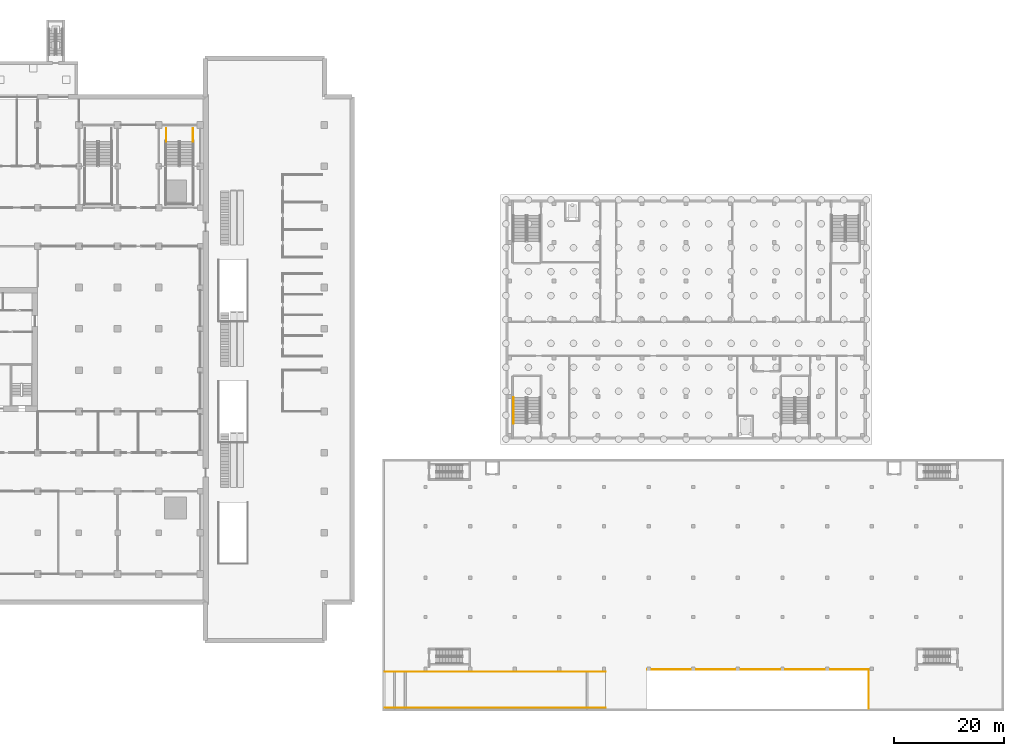
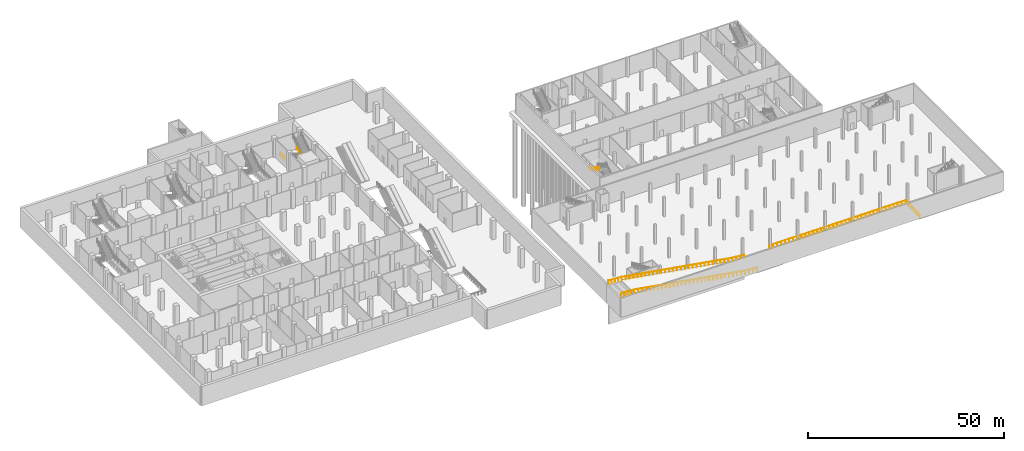
# One storey, part 38 of 45: 6 railings.
"""IFC4 building model written with IfcOpenShell, lengths in metres."""

from ifc_helpers import new_model, si_unit, direction, frame, origin, origin_2d, place, context, subcontext, project, spatial, circle, extrude, material, type_object, element, save


model = new_model("IFC4")

# Units and contexts
model_context = context("Model", 3, precision=1e-05, world=origin(), true_north=direction((0.0, 1.0)))
body_context = subcontext(model_context, "Body", "Model", "MODEL_VIEW")
ifc_project = project(units=[si_unit("LENGTHUNIT", "METRE"), si_unit("AREAUNIT", "SQUARE_METRE"), si_unit("VOLUMEUNIT", "CUBIC_METRE"), si_unit("PLANEANGLEUNIT", "RADIAN"), si_unit("MASSUNIT", "GRAM", prefix="KILO")], contexts=[model_context])

# Site, building, storey
site_placement = place(None, origin())
site = spatial("IfcSite", under=ifc_project, at=site_placement, CompositionType="ELEMENT")
building_placement = place(site_placement, origin())
building = spatial("IfcBuilding", under=site, at=building_placement, Name="Tamorin Gate", CompositionType="ELEMENT")
storey_placement = place(building_placement, frame((0.0, 0.0, -6.0)))
storey = spatial("IfcBuildingStorey", under=building, at=storey_placement, Name="B1", CompositionType="ELEMENT", Elevation=-6.0)

# Railings
ifc_material_1 = material(Name="Steel", Category="steel")
railing_type_1 = type_object("IfcRailingType", Name="Podium guard 1100", PredefinedType="GUARDRAIL", material=ifc_material_1)
for number, where, name in (
    (1, (83.324951171875, 111.39990234375, 0.0), "B1 SB5 stair guard 8"),
    (2, (88.175048828125, 111.39990234375, 0.0), "B1 SB5 stair guard 9"),
):
    element("IfcRailing", number, at=place(storey_placement, frame(where)), inside=storey, type_object=railing_type_1, Name=name, PredefinedType="GUARDRAIL", context=body_context, shape_type="SweptSolid", body=[
        extrude(circle(Radius=0.02392578125, at=origin_2d()), frame((0.0, 0.0, 1.076171875), z_axis=(0.0, -1.0, 0.0), x_axis=(1.0, 0.0, 0.0)), (0.0, 0.0, 1.0), 2.39990234375),
        extrude(circle(Radius=0.02099609375, at=origin_2d()), origin(), (0.0, 0.0, 1.0), 1.052001953125),
        extrude(circle(Radius=0.02099609375, at=origin_2d()), frame((0.0, -1.199951171875, 0.0)), (0.0, 0.0, 1.0), 1.052001953125),
        extrude(circle(Radius=0.02099609375, at=origin_2d()), frame((0.0, -2.39990234375, 0.0)), (0.0, 0.0, 1.0), 1.052001953125),
    ])
ifc_material_2 = material(Name="Steel, galvanised", Category="steel")
railing_type_2 = type_object("IfcRailingType", Name="Steel guard 1100", PredefinedType="GUARDRAIL", material=ifc_material_2)
railing_1_placement = place(storey_placement, frame((123.050048828125, 12.75, 6.0)))
element("IfcRailing", 3, at=railing_1_placement, inside=storey, type_object=railing_type_2, Name="Ramp edge guard", PredefinedType="GUARDRAIL", context=body_context, shape_type="SweptSolid", body=[
    extrude(circle(Radius=0.02392578125, at=origin_2d()), frame((0.0, 0.0, 1.076171875), z_axis=(0.99793051147, 0.0, -0.064301588456), x_axis=(0.0, 1.0, 0.0)), (0.0, 0.0, 1.0), 3.887939453125),
    extrude(circle(Radius=0.02392578125, at=origin_2d()), frame((3.8798828125, 0.0, 0.826171875), z_axis=(0.986081799154, 0.0, -0.166260895513), x_axis=(0.0, 1.0, 0.0)), (0.0, 0.0, 1.0), 33.08056640625),
    extrude(circle(Radius=0.02392578125, at=origin_2d()), frame((36.5, 0.0, -4.673828125), z_axis=(0.997458699831, 0.0, -0.071247049988), x_axis=(0.0, 1.0, 0.0)), (0.0, 0.0, 1.0), 3.509033203125),
    extrude(circle(Radius=0.02099609375, at=origin_2d()), origin(), (0.0, 0.0, 1.0), 1.052001953125),
    extrude(circle(Radius=0.02099609375, at=origin_2d()), frame((0.969970703125, 0.0, -0.0625)), (0.0, 0.0, 1.0), 1.052001953125),
    extrude(circle(Radius=0.02099609375, at=origin_2d()), frame((1.93994140625, 0.0, -0.125)), (0.0, 0.0, 1.0), 1.052001953125),
    extrude(circle(Radius=0.02099609375, at=origin_2d()), frame((2.909912109375, 0.0, -0.1875)), (0.0, 0.0, 1.0), 1.052001953125),
    extrude(circle(Radius=0.02099609375, at=origin_2d()), frame((3.8798828125, 0.0, -0.25)), (0.0, 0.0, 1.0), 1.052001953125),
    extrude(circle(Radius=0.02099609375, at=origin_2d()), frame((5.044921875, 0.0, -0.446533203125)), (0.0, 0.0, 1.0), 1.052001953125),
    extrude(circle(Radius=0.02099609375, at=origin_2d()), frame((6.2099609375, 0.0, -0.642822265625)), (0.0, 0.0, 1.0), 1.052001953125),
    extrude(circle(Radius=0.02099609375, at=origin_2d()), frame((7.375, 0.0, -0.83935546875)), (0.0, 0.0, 1.0), 1.052001953125),
    extrude(circle(Radius=0.02099609375, at=origin_2d()), frame((8.539794921875, 0.0, -1.03564453125)), (0.0, 0.0, 1.0), 1.052001953125),
    extrude(circle(Radius=0.02099609375, at=origin_2d()), frame((9.704833984375, 0.0, -1.232177734375)), (0.0, 0.0, 1.0), 1.052001953125),
    extrude(circle(Radius=0.02099609375, at=origin_2d()), frame((10.869873046875, 0.0, -1.428466796875)), (0.0, 0.0, 1.0), 1.052001953125),
    extrude(circle(Radius=0.02099609375, at=origin_2d()), frame((12.034912109375, 0.0, -1.625)), (0.0, 0.0, 1.0), 1.052001953125),
    extrude(circle(Radius=0.02099609375, at=origin_2d()), frame((13.199951171875, 0.0, -1.821533203125)), (0.0, 0.0, 1.0), 1.052001953125),
    extrude(circle(Radius=0.02099609375, at=origin_2d()), frame((14.364990234375, 0.0, -2.017822265625)), (0.0, 0.0, 1.0), 1.052001953125),
    extrude(circle(Radius=0.02099609375, at=origin_2d()), frame((15.530029296875, 0.0, -2.21435546875)), (0.0, 0.0, 1.0), 1.052001953125),
    extrude(circle(Radius=0.02099609375, at=origin_2d()), frame((16.69482421875, 0.0, -2.41064453125)), (0.0, 0.0, 1.0), 1.052001953125),
    extrude(circle(Radius=0.02099609375, at=origin_2d()), frame((17.85986328125, 0.0, -2.607177734375)), (0.0, 0.0, 1.0), 1.052001953125),
    extrude(circle(Radius=0.02099609375, at=origin_2d()), frame((19.02490234375, 0.0, -2.803466796875)), (0.0, 0.0, 1.0), 1.052001953125),
    extrude(circle(Radius=0.02099609375, at=origin_2d()), frame((20.18994140625, 0.0, -3.0)), (0.0, 0.0, 1.0), 1.052001953125),
    extrude(circle(Radius=0.02099609375, at=origin_2d()), frame((21.35498046875, 0.0, -3.196533203125)), (0.0, 0.0, 1.0), 1.052001953125),
    extrude(circle(Radius=0.02099609375, at=origin_2d()), frame((22.52001953125, 0.0, -3.392822265625)), (0.0, 0.0, 1.0), 1.052001953125),
    extrude(circle(Radius=0.02099609375, at=origin_2d()), frame((23.68505859375, 0.0, -3.58935546875)), (0.0, 0.0, 1.0), 1.052001953125),
    extrude(circle(Radius=0.02099609375, at=origin_2d()), frame((24.849853515625, 0.0, -3.78564453125)), (0.0, 0.0, 1.0), 1.052001953125),
    extrude(circle(Radius=0.02099609375, at=origin_2d()), frame((26.014892578125, 0.0, -3.982177734375)), (0.0, 0.0, 1.0), 1.052001953125),
    extrude(circle(Radius=0.02099609375, at=origin_2d()), frame((27.179931640625, 0.0, -4.178466796875)), (0.0, 0.0, 1.0), 1.052001953125),
    extrude(circle(Radius=0.02099609375, at=origin_2d()), frame((28.344970703125, 0.0, -4.375)), (0.0, 0.0, 1.0), 1.052001953125),
    extrude(circle(Radius=0.02099609375, at=origin_2d()), frame((29.510009765625, 0.0, -4.571533203125)), (0.0, 0.0, 1.0), 1.052001953125),
    extrude(circle(Radius=0.02099609375, at=origin_2d()), frame((30.675048828125, 0.0, -4.767822265625)), (0.0, 0.0, 1.0), 1.052001953125),
    extrude(circle(Radius=0.02099609375, at=origin_2d()), frame((31.840087890625, 0.0, -4.96435546875)), (0.0, 0.0, 1.0), 1.052001953125),
    extrude(circle(Radius=0.02099609375, at=origin_2d()), frame((33.0048828125, 0.0, -5.16064453125)), (0.0, 0.0, 1.0), 1.052001953125),
    extrude(circle(Radius=0.02099609375, at=origin_2d()), frame((34.169921875, 0.0, -5.357177734375)), (0.0, 0.0, 1.0), 1.052001953125),
    extrude(circle(Radius=0.02099609375, at=origin_2d()), frame((35.3349609375, 0.0, -5.553466796875)), (0.0, 0.0, 1.0), 1.052001953125),
    extrude(circle(Radius=0.02099609375, at=origin_2d()), frame((36.5, 0.0, -5.75)), (0.0, 0.0, 1.0), 1.052001953125),
    extrude(circle(Radius=0.02099609375, at=origin_2d()), frame((37.666748046875, 0.0, -5.833251953125)), (0.0, 0.0, 1.0), 1.052001953125),
    extrude(circle(Radius=0.02099609375, at=origin_2d()), frame((38.833251953125, 0.0, -5.916748046875)), (0.0, 0.0, 1.0), 1.052001953125),
    extrude(circle(Radius=0.02099609375, at=origin_2d()), frame((40.0, 0.0, -6.0)), (0.0, 0.0, 1.0), 1.052001953125),
])
railing_2_placement = place(storey_placement, frame((123.050048828125, 6.25, 6.0)))
element("IfcRailing", 4, at=railing_2_placement, inside=storey, type_object=railing_type_2, Name="Ramp edge guard", PredefinedType="GUARDRAIL", context=body_context, shape_type="SweptSolid", body=[
    extrude(circle(Radius=0.02392578125, at=origin_2d()), frame((0.0, 0.0, 1.076171875), z_axis=(0.99793051147, 0.0, -0.064301588456), x_axis=(0.0, 1.0, 0.0)), (0.0, 0.0, 1.0), 3.887939453125),
    extrude(circle(Radius=0.02392578125, at=origin_2d()), frame((3.8798828125, 0.0, 0.826171875), z_axis=(0.986081799154, 0.0, -0.166260895513), x_axis=(0.0, 1.0, 0.0)), (0.0, 0.0, 1.0), 33.08056640625),
    extrude(circle(Radius=0.02392578125, at=origin_2d()), frame((36.5, 0.0, -4.673828125), z_axis=(0.997458699831, 0.0, -0.071247049988), x_axis=(0.0, 1.0, 0.0)), (0.0, 0.0, 1.0), 3.509033203125),
    extrude(circle(Radius=0.02099609375, at=origin_2d()), origin(), (0.0, 0.0, 1.0), 1.052001953125),
    extrude(circle(Radius=0.02099609375, at=origin_2d()), frame((0.969970703125, 0.0, -0.0625)), (0.0, 0.0, 1.0), 1.052001953125),
    extrude(circle(Radius=0.02099609375, at=origin_2d()), frame((1.93994140625, 0.0, -0.125)), (0.0, 0.0, 1.0), 1.052001953125),
    extrude(circle(Radius=0.02099609375, at=origin_2d()), frame((2.909912109375, 0.0, -0.1875)), (0.0, 0.0, 1.0), 1.052001953125),
    extrude(circle(Radius=0.02099609375, at=origin_2d()), frame((3.8798828125, 0.0, -0.25)), (0.0, 0.0, 1.0), 1.052001953125),
    extrude(circle(Radius=0.02099609375, at=origin_2d()), frame((5.044921875, 0.0, -0.446533203125)), (0.0, 0.0, 1.0), 1.052001953125),
    extrude(circle(Radius=0.02099609375, at=origin_2d()), frame((6.2099609375, 0.0, -0.642822265625)), (0.0, 0.0, 1.0), 1.052001953125),
    extrude(circle(Radius=0.02099609375, at=origin_2d()), frame((7.375, 0.0, -0.83935546875)), (0.0, 0.0, 1.0), 1.052001953125),
    extrude(circle(Radius=0.02099609375, at=origin_2d()), frame((8.539794921875, 0.0, -1.03564453125)), (0.0, 0.0, 1.0), 1.052001953125),
    extrude(circle(Radius=0.02099609375, at=origin_2d()), frame((9.704833984375, 0.0, -1.232177734375)), (0.0, 0.0, 1.0), 1.052001953125),
    extrude(circle(Radius=0.02099609375, at=origin_2d()), frame((10.869873046875, 0.0, -1.428466796875)), (0.0, 0.0, 1.0), 1.052001953125),
    extrude(circle(Radius=0.02099609375, at=origin_2d()), frame((12.034912109375, 0.0, -1.625)), (0.0, 0.0, 1.0), 1.052001953125),
    extrude(circle(Radius=0.02099609375, at=origin_2d()), frame((13.199951171875, 0.0, -1.821533203125)), (0.0, 0.0, 1.0), 1.052001953125),
    extrude(circle(Radius=0.02099609375, at=origin_2d()), frame((14.364990234375, 0.0, -2.017822265625)), (0.0, 0.0, 1.0), 1.052001953125),
    extrude(circle(Radius=0.02099609375, at=origin_2d()), frame((15.530029296875, 0.0, -2.21435546875)), (0.0, 0.0, 1.0), 1.052001953125),
    extrude(circle(Radius=0.02099609375, at=origin_2d()), frame((16.69482421875, 0.0, -2.41064453125)), (0.0, 0.0, 1.0), 1.052001953125),
    extrude(circle(Radius=0.02099609375, at=origin_2d()), frame((17.85986328125, 0.0, -2.607177734375)), (0.0, 0.0, 1.0), 1.052001953125),
    extrude(circle(Radius=0.02099609375, at=origin_2d()), frame((19.02490234375, 0.0, -2.803466796875)), (0.0, 0.0, 1.0), 1.052001953125),
    extrude(circle(Radius=0.02099609375, at=origin_2d()), frame((20.18994140625, 0.0, -3.0)), (0.0, 0.0, 1.0), 1.052001953125),
    extrude(circle(Radius=0.02099609375, at=origin_2d()), frame((21.35498046875, 0.0, -3.196533203125)), (0.0, 0.0, 1.0), 1.052001953125),
    extrude(circle(Radius=0.02099609375, at=origin_2d()), frame((22.52001953125, 0.0, -3.392822265625)), (0.0, 0.0, 1.0), 1.052001953125),
    extrude(circle(Radius=0.02099609375, at=origin_2d()), frame((23.68505859375, 0.0, -3.58935546875)), (0.0, 0.0, 1.0), 1.052001953125),
    extrude(circle(Radius=0.02099609375, at=origin_2d()), frame((24.849853515625, 0.0, -3.78564453125)), (0.0, 0.0, 1.0), 1.052001953125),
    extrude(circle(Radius=0.02099609375, at=origin_2d()), frame((26.014892578125, 0.0, -3.982177734375)), (0.0, 0.0, 1.0), 1.052001953125),
    extrude(circle(Radius=0.02099609375, at=origin_2d()), frame((27.179931640625, 0.0, -4.178466796875)), (0.0, 0.0, 1.0), 1.052001953125),
    extrude(circle(Radius=0.02099609375, at=origin_2d()), frame((28.344970703125, 0.0, -4.375)), (0.0, 0.0, 1.0), 1.052001953125),
    extrude(circle(Radius=0.02099609375, at=origin_2d()), frame((29.510009765625, 0.0, -4.571533203125)), (0.0, 0.0, 1.0), 1.052001953125),
    extrude(circle(Radius=0.02099609375, at=origin_2d()), frame((30.675048828125, 0.0, -4.767822265625)), (0.0, 0.0, 1.0), 1.052001953125),
    extrude(circle(Radius=0.02099609375, at=origin_2d()), frame((31.840087890625, 0.0, -4.96435546875)), (0.0, 0.0, 1.0), 1.052001953125),
    extrude(circle(Radius=0.02099609375, at=origin_2d()), frame((33.0048828125, 0.0, -5.16064453125)), (0.0, 0.0, 1.0), 1.052001953125),
    extrude(circle(Radius=0.02099609375, at=origin_2d()), frame((34.169921875, 0.0, -5.357177734375)), (0.0, 0.0, 1.0), 1.052001953125),
    extrude(circle(Radius=0.02099609375, at=origin_2d()), frame((35.3349609375, 0.0, -5.553466796875)), (0.0, 0.0, 1.0), 1.052001953125),
    extrude(circle(Radius=0.02099609375, at=origin_2d()), frame((36.5, 0.0, -5.75)), (0.0, 0.0, 1.0), 1.052001953125),
    extrude(circle(Radius=0.02099609375, at=origin_2d()), frame((37.666748046875, 0.0, -5.833251953125)), (0.0, 0.0, 1.0), 1.052001953125),
    extrude(circle(Radius=0.02099609375, at=origin_2d()), frame((38.833251953125, 0.0, -5.916748046875)), (0.0, 0.0, 1.0), 1.052001953125),
    extrude(circle(Radius=0.02099609375, at=origin_2d()), frame((40.0, 0.0, -6.0)), (0.0, 0.0, 1.0), 1.052001953125),
])
railing_3_placement = place(storey_placement, frame((170.64990234375, 13.14990234375, 0.0)))
element("IfcRailing", 5, at=railing_3_placement, inside=storey, type_object=railing_type_2, Name="Deck edge guard", PredefinedType="GUARDRAIL", context=body_context, shape_type="SweptSolid", body=[
    extrude(circle(Radius=0.02392578125, at=origin_2d()), frame((0.0, 0.0, 1.076171875), z_axis=(1.0, 0.0, 0.0), x_axis=(0.0, 1.0, 0.0)), (0.0, 0.0, 1.0), 40.2001953125),
    extrude(circle(Radius=0.02392578125, at=origin_2d()), frame((40.2001953125, 0.0, 1.076171875), z_axis=(0.0, -1.0, 0.0), x_axis=(1.0, 0.0, 0.0)), (0.0, 0.0, 1.0), 7.099853515625),
    extrude(circle(Radius=0.02099609375, at=origin_2d()), origin(), (0.0, 0.0, 1.0), 1.052001953125),
    extrude(circle(Radius=0.02099609375, at=origin_2d()), frame((1.182373046875, 0.0, 0.0)), (0.0, 0.0, 1.0), 1.052001953125),
    extrude(circle(Radius=0.02099609375, at=origin_2d()), frame((2.36474609375, 0.0, 0.0)), (0.0, 0.0, 1.0), 1.052001953125),
    extrude(circle(Radius=0.02099609375, at=origin_2d()), frame((3.547119140625, 0.0, 0.0)), (0.0, 0.0, 1.0), 1.052001953125),
    extrude(circle(Radius=0.02099609375, at=origin_2d()), frame((4.7294921875, 0.0, 0.0)), (0.0, 0.0, 1.0), 1.052001953125),
    extrude(circle(Radius=0.02099609375, at=origin_2d()), frame((5.911865234375, 0.0, 0.0)), (0.0, 0.0, 1.0), 1.052001953125),
    extrude(circle(Radius=0.02099609375, at=origin_2d()), frame((7.09423828125, 0.0, 0.0)), (0.0, 0.0, 1.0), 1.052001953125),
    extrude(circle(Radius=0.02099609375, at=origin_2d()), frame((8.276611328125, 0.0, 0.0)), (0.0, 0.0, 1.0), 1.052001953125),
    extrude(circle(Radius=0.02099609375, at=origin_2d()), frame((9.458984375, 0.0, 0.0)), (0.0, 0.0, 1.0), 1.052001953125),
    extrude(circle(Radius=0.02099609375, at=origin_2d()), frame((10.64111328125, 0.0, 0.0)), (0.0, 0.0, 1.0), 1.052001953125),
    extrude(circle(Radius=0.02099609375, at=origin_2d()), frame((11.823486328125, 0.0, 0.0)), (0.0, 0.0, 1.0), 1.052001953125),
    extrude(circle(Radius=0.02099609375, at=origin_2d()), frame((13.005859375, 0.0, 0.0)), (0.0, 0.0, 1.0), 1.052001953125),
    extrude(circle(Radius=0.02099609375, at=origin_2d()), frame((14.188232421875, 0.0, 0.0)), (0.0, 0.0, 1.0), 1.052001953125),
    extrude(circle(Radius=0.02099609375, at=origin_2d()), frame((15.37060546875, 0.0, 0.0)), (0.0, 0.0, 1.0), 1.052001953125),
    extrude(circle(Radius=0.02099609375, at=origin_2d()), frame((16.552978515625, 0.0, 0.0)), (0.0, 0.0, 1.0), 1.052001953125),
    extrude(circle(Radius=0.02099609375, at=origin_2d()), frame((17.7353515625, 0.0, 0.0)), (0.0, 0.0, 1.0), 1.052001953125),
    extrude(circle(Radius=0.02099609375, at=origin_2d()), frame((18.917724609375, 0.0, 0.0)), (0.0, 0.0, 1.0), 1.052001953125),
    extrude(circle(Radius=0.02099609375, at=origin_2d()), frame((20.10009765625, 0.0, 0.0)), (0.0, 0.0, 1.0), 1.052001953125),
    extrude(circle(Radius=0.02099609375, at=origin_2d()), frame((21.282470703125, 0.0, 0.0)), (0.0, 0.0, 1.0), 1.052001953125),
    extrude(circle(Radius=0.02099609375, at=origin_2d()), frame((22.46484375, 0.0, 0.0)), (0.0, 0.0, 1.0), 1.052001953125),
    extrude(circle(Radius=0.02099609375, at=origin_2d()), frame((23.647216796875, 0.0, 0.0)), (0.0, 0.0, 1.0), 1.052001953125),
    extrude(circle(Radius=0.02099609375, at=origin_2d()), frame((24.82958984375, 0.0, 0.0)), (0.0, 0.0, 1.0), 1.052001953125),
    extrude(circle(Radius=0.02099609375, at=origin_2d()), frame((26.011962890625, 0.0, 0.0)), (0.0, 0.0, 1.0), 1.052001953125),
    extrude(circle(Radius=0.02099609375, at=origin_2d()), frame((27.1943359375, 0.0, 0.0)), (0.0, 0.0, 1.0), 1.052001953125),
    extrude(circle(Radius=0.02099609375, at=origin_2d()), frame((28.376708984375, 0.0, 0.0)), (0.0, 0.0, 1.0), 1.052001953125),
    extrude(circle(Radius=0.02099609375, at=origin_2d()), frame((29.55908203125, 0.0, 0.0)), (0.0, 0.0, 1.0), 1.052001953125),
    extrude(circle(Radius=0.02099609375, at=origin_2d()), frame((30.7412109375, 0.0, 0.0)), (0.0, 0.0, 1.0), 1.052001953125),
    extrude(circle(Radius=0.02099609375, at=origin_2d()), frame((31.923583984375, 0.0, 0.0)), (0.0, 0.0, 1.0), 1.052001953125),
    extrude(circle(Radius=0.02099609375, at=origin_2d()), frame((33.10595703125, 0.0, 0.0)), (0.0, 0.0, 1.0), 1.052001953125),
    extrude(circle(Radius=0.02099609375, at=origin_2d()), frame((34.288330078125, 0.0, 0.0)), (0.0, 0.0, 1.0), 1.052001953125),
    extrude(circle(Radius=0.02099609375, at=origin_2d()), frame((35.470703125, 0.0, 0.0)), (0.0, 0.0, 1.0), 1.052001953125),
    extrude(circle(Radius=0.02099609375, at=origin_2d()), frame((36.653076171875, 0.0, 0.0)), (0.0, 0.0, 1.0), 1.052001953125),
    extrude(circle(Radius=0.02099609375, at=origin_2d()), frame((37.83544921875, 0.0, 0.0)), (0.0, 0.0, 1.0), 1.052001953125),
    extrude(circle(Radius=0.02099609375, at=origin_2d()), frame((39.017822265625, 0.0, 0.0)), (0.0, 0.0, 1.0), 1.052001953125),
    extrude(circle(Radius=0.02099609375, at=origin_2d()), frame((40.2001953125, 0.0, 0.0)), (0.0, 0.0, 1.0), 1.052001953125),
    extrude(circle(Radius=0.02099609375, at=origin_2d()), frame((40.2001953125, -1.183349609375, 0.0)), (0.0, 0.0, 1.0), 1.052001953125),
    extrude(circle(Radius=0.02099609375, at=origin_2d()), frame((40.2001953125, -2.36669921875, 0.0)), (0.0, 0.0, 1.0), 1.052001953125),
    extrude(circle(Radius=0.02099609375, at=origin_2d()), frame((40.2001953125, -3.5498046875, 0.0)), (0.0, 0.0, 1.0), 1.052001953125),
    extrude(circle(Radius=0.02099609375, at=origin_2d()), frame((40.2001953125, -4.733154296875, 0.0)), (0.0, 0.0, 1.0), 1.052001953125),
    extrude(circle(Radius=0.02099609375, at=origin_2d()), frame((40.2001953125, -5.91650390625, 0.0)), (0.0, 0.0, 1.0), 1.052001953125),
    extrude(circle(Radius=0.02099609375, at=origin_2d()), frame((40.2001953125, -7.099853515625, 0.0)), (0.0, 0.0, 1.0), 1.052001953125),
])
railing_type_3 = type_object("IfcRailingType", Name="Steel handrail 900 museum", PredefinedType="HANDRAIL", material=ifc_material_2)
railing_4_placement = place(storey_placement, frame((146.35009765625, 62.56005859375, 3.166748046875)))
element("IfcRailing", 6, at=railing_4_placement, inside=storey, type_object=railing_type_3, Name="B1 PS8 stair handrail 2", PredefinedType="HANDRAIL", context=body_context, shape_type="SweptSolid", body=[
    extrude(circle(Radius=0.02392578125, at=origin_2d()), frame((0.0, 0.0, 0.8759765625), z_axis=(0.0, -0.859299802514, 0.511472237174), x_axis=(1.0, 0.0, 0.0)), (0.0, 0.0, 1.0), 5.539306640625),
    extrude(circle(Radius=0.02099609375, at=origin_2d()), origin(), (0.0, 0.0, 1.0), 0.851806640625),
    extrude(circle(Radius=0.02099609375, at=origin_2d()), frame((0.0, -0.951904296875, 0.566650390625)), (0.0, 0.0, 1.0), 0.851806640625),
    extrude(circle(Radius=0.02099609375, at=origin_2d()), frame((0.0, -1.904052734375, 1.13330078125)), (0.0, 0.0, 1.0), 0.851806640625),
    extrude(circle(Radius=0.02099609375, at=origin_2d()), frame((0.0, -2.85595703125, 1.699951171875)), (0.0, 0.0, 1.0), 0.851806640625),
    extrude(circle(Radius=0.02099609375, at=origin_2d()), frame((0.0, -3.80810546875, 2.2666015625)), (0.0, 0.0, 1.0), 0.851806640625),
    extrude(circle(Radius=0.02099609375, at=origin_2d()), frame((0.0, -4.760009765625, 2.833251953125)), (0.0, 0.0, 1.0), 0.851806640625),
])

save(model, "model.ifc")
